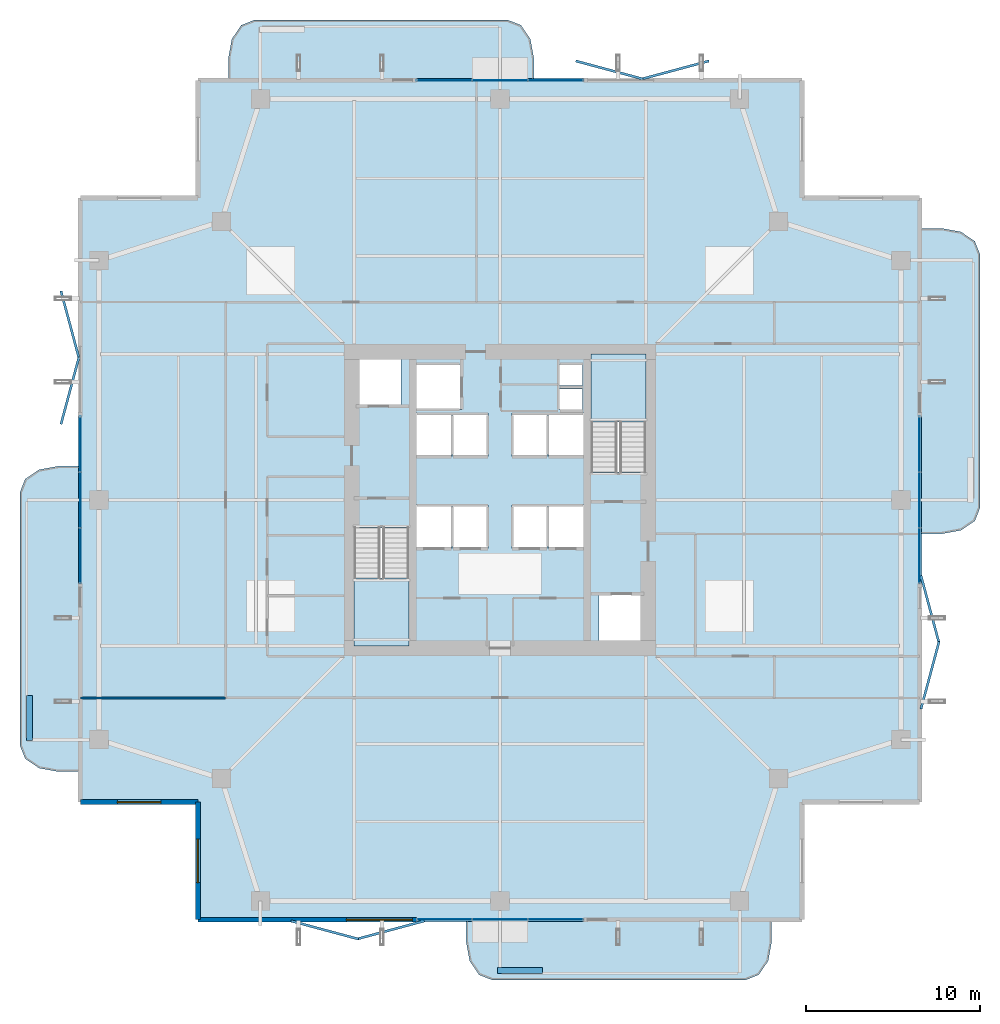
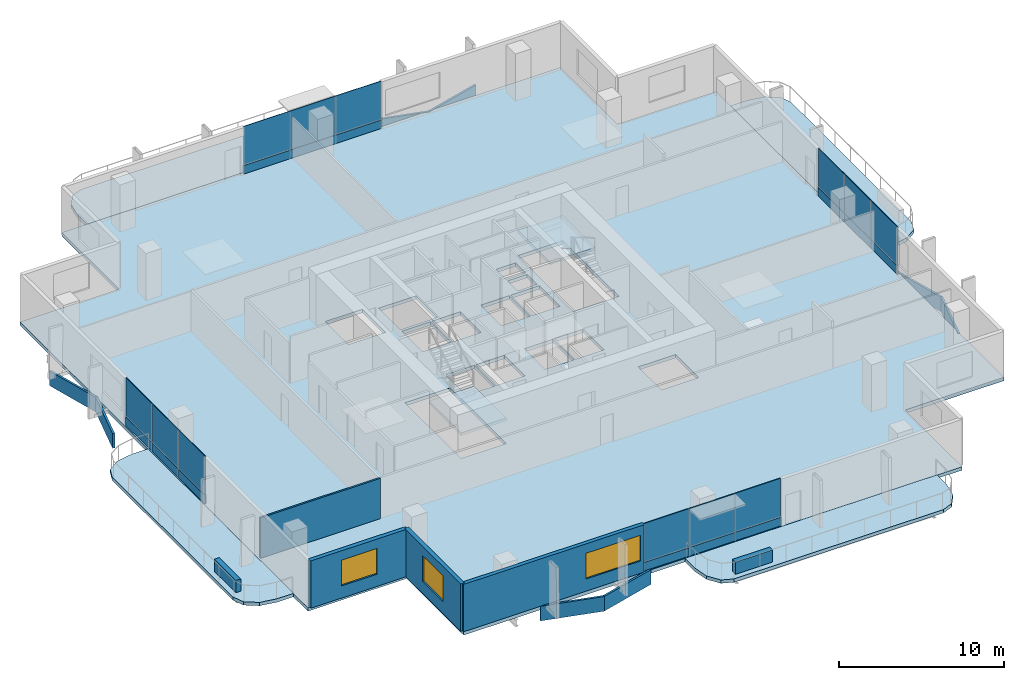
# One storey, part 17 of 25: 32 plates, 7 slabs, 6 walls, 3 windows, 3 openings, 6 elements without a shape of their own.
"""IFC4 building model written with IfcOpenShell, lengths in metres."""

from ifc_helpers import new_model, si_unit, direction, frame, frame_2d, origin, origin_2d, place, context, subcontext, project, spatial, polyline, rectangle, outline, extrude, material, layer, layer_set, type_object, element, fill, aggregate, save


model = new_model("IFC4")

# Units and contexts
model_context = context("Model", 3, precision=1e-05, world=origin(), true_north=direction((0.0, 1.0)))
body_context = subcontext(model_context, "Body", "Model", "MODEL_VIEW")
ifc_project = project(units=[si_unit("LENGTHUNIT", "METRE"), si_unit("AREAUNIT", "SQUARE_METRE"), si_unit("VOLUMEUNIT", "CUBIC_METRE"), si_unit("PLANEANGLEUNIT", "RADIAN"), si_unit("MASSUNIT", "GRAM", prefix="KILO")], contexts=[model_context])

# Site, building, storey
site_placement = place(None, origin())
site = spatial("IfcSite", under=ifc_project, at=site_placement, CompositionType="ELEMENT")
building_placement = place(site_placement, origin())
building = spatial("IfcBuilding", under=site, at=building_placement, Name="Belovzor Exchange Tower", CompositionType="ELEMENT")
storey_placement = place(building_placement, frame((0.0, 0.0, 175.800048828125)))
storey = spatial("IfcBuildingStorey", under=building, at=storey_placement, Name="L43", CompositionType="ELEMENT", Elevation=175.800048828125)

# Slab
ifc_material_1 = material(Name="Concrete C40/50", Category="concrete")
ifc_layer_1 = layer(ifc_material_1, 0.2548828125)
ifc_layer_set_1 = layer_set([ifc_layer_1], Name="Concrete C40/50")
slab_type_1 = type_object("IfcSlabType", Name="Composite Waist Floor Deck Slab 255", PredefinedType="FLOOR", material=ifc_layer_set_1)
slab_1_placement = place(storey_placement, frame((0.0, 0.0, -0.255126953125)))
element("IfcSlab", 1, at=slab_1_placement, inside=storey, type_object=slab_type_1, Name="SL-F255 Structural Slab L43", PredefinedType="FLOOR", context=body_context, shape_type="SweptSolid", body=[
    extrude(outline(polyline([(11.39990234375, 4.5), (46.199951171875, 4.5), (46.199951171875, 11.39990234375), (53.10009765625, 11.39990234375), (53.10009765625, 46.199951171875), (46.199951171875, 46.199951171875), (46.199951171875, 53.10009765625), (11.39990234375, 53.10009765625), (11.39990234375, 46.199951171875), (4.5, 46.199951171875), (4.5, 11.39990234375), (11.39990234375, 11.39990234375), (11.39990234375, 4.5)]), holes=[polyline([(20.39990234375, 27.175048828125), (20.39990234375, 20.39990234375), (23.550048828125, 20.39990234375), (23.550048828125, 27.175048828125), (20.39990234375, 27.175048828125)]), polyline([(37.199951171875, 30.425048828125), (37.199951171875, 37.199951171875), (34.050048828125, 37.199951171875), (34.050048828125, 30.425048828125), (37.199951171875, 30.425048828125)]), polyline([(20.5, 34.199951171875), (23.10009765625, 34.199951171875), (23.10009765625, 37.0), (20.5, 37.0), (20.5, 34.199951171875)]), polyline([(34.5, 20.60009765625), (37.10009765625, 20.60009765625), (37.10009765625, 23.39990234375), (34.5, 23.39990234375), (34.5, 20.60009765625)]), polyline([(24.0, 34.0), (26.60009765625, 34.0), (26.60009765625, 36.60009765625), (24.0, 36.60009765625), (24.0, 34.0)]), polyline([(24.0, 26.0), (26.0, 26.0), (26.0, 28.5), (24.0, 28.5), (24.0, 26.0)]), polyline([(26.10009765625, 26.0), (28.10009765625, 26.0), (28.10009765625, 28.5), (26.10009765625, 28.5), (26.10009765625, 26.0)]), polyline([(29.5, 26.0), (31.5, 26.0), (31.5, 28.5), (29.5, 28.5), (29.5, 26.0)]), polyline([(31.60009765625, 26.0), (33.60009765625, 26.0), (33.60009765625, 28.5), (31.60009765625, 28.5), (31.60009765625, 26.0)]), polyline([(24.0, 31.300048828125), (26.0, 31.300048828125), (26.0, 33.800048828125), (24.0, 33.800048828125), (24.0, 31.300048828125)]), polyline([(26.10009765625, 31.300048828125), (28.10009765625, 31.300048828125), (28.10009765625, 33.800048828125), (26.10009765625, 33.800048828125), (26.10009765625, 31.300048828125)]), polyline([(29.5, 31.300048828125), (31.5, 31.300048828125), (31.5, 33.800048828125), (29.5, 33.800048828125), (29.5, 31.300048828125)]), polyline([(31.60009765625, 31.300048828125), (33.60009765625, 31.300048828125), (33.60009765625, 33.800048828125), (31.60009765625, 33.800048828125), (31.60009765625, 31.300048828125)]), polyline([(32.199951171875, 34.0), (33.550048828125, 34.0), (33.550048828125, 35.199951171875), (32.199951171875, 35.199951171875), (32.199951171875, 34.0)]), polyline([(32.199951171875, 35.39990234375), (33.550048828125, 35.39990234375), (33.550048828125, 36.60009765625), (32.199951171875, 36.60009765625), (32.199951171875, 35.39990234375)])]), origin(), (0.0, 0.0, 1.0), 0.255126953125),
])

# Curtain wall, plates
ifc_material_2 = material(Name="Anodised Aluminium Framing", Category="aluminium")
ifc_layer_2 = layer(ifc_material_2, 0.179931640625)
ifc_layer_set_2 = layer_set([ifc_layer_2], Name="Anodised Aluminium Framing")
curtain_wall_type = type_object("IfcCurtainWallType", Name="Recessed Loggia Low-Iron Triple-Glazed Curtain Wall", PredefinedType="NOTDEFINED", material=ifc_layer_set_2)
curtain_wall_1_placement = place(storey_placement, origin())
curtain_wall_1 = element("IfcCurtainWall", 2, at=curtain_wall_1_placement, inside=storey, type_object=curtain_wall_type, Name="CW3 Recessed Loggia Low-Iron Triple-Glazed Curtain Wall L43", PredefinedType="NOTDEFINED")
ifc_material_3 = material(Name="Solar-Control Triple Glazing", Category="glass")
ifc_layer_3 = layer(ifc_material_3, 0.0439453125)
ifc_layer_set_3 = layer_set([ifc_layer_3], Name="Solar-Control Triple Glazing")
plate_type_1 = type_object("IfcPlateType", Name="Insulated Solar Glazing Curtain Panel 44", PredefinedType="CURTAIN_PANEL", material=ifc_layer_set_3)
plate_1_placement = place(storey_placement, frame((32.0, 4.6298828125, 0.630859375), z_axis=(0.0, 0.0, 1.0), x_axis=(-1.0, 0.0, 0.0)))
plate_1 = element("IfcPlate", 3, at=plate_1_placement, type_object=plate_type_1, Name="GLZ-44 Glazed Curtain Panel 1", PredefinedType="CURTAIN_PANEL", context=body_context, shape_type="SweptSolid", body=[
    extrude(rectangle(XDim=3.18408203125, YDim=0.0439453125, at=origin_2d()), origin(), (0.0, 0.0, 1.0), 2.864013671875),
])
plate_2_placement = place(storey_placement, frame((28.800048828125, 4.6298828125, 0.630859375), z_axis=(0.0, 0.0, 1.0), x_axis=(-1.0, 0.0, 0.0)))
plate_2 = element("IfcPlate", 4, at=plate_2_placement, type_object=plate_type_1, Name="GLZ-44 Glazed Curtain Panel 2", PredefinedType="CURTAIN_PANEL", context=body_context, shape_type="SweptSolid", body=[
    extrude(rectangle(XDim=3.18408203125, YDim=0.0439453125, at=origin_2d()), origin(), (0.0, 0.0, 1.0), 2.864013671875),
])
plate_3_placement = place(storey_placement, frame((25.60009765625, 4.6298828125, 0.630859375), z_axis=(0.0, 0.0, 1.0), x_axis=(-1.0, 0.0, 0.0)))
plate_3 = element("IfcPlate", 5, at=plate_3_placement, type_object=plate_type_1, Name="GLZ-44 Glazed Curtain Panel 3", PredefinedType="CURTAIN_PANEL", context=body_context, shape_type="SweptSolid", body=[
    extrude(rectangle(XDim=3.18408203125, YDim=0.0439453125, at=origin_2d()), origin(), (0.0, 0.0, 1.0), 2.864013671875),
])

curtain_wall_2_placement = place(storey_placement, origin())
curtain_wall_2 = element("IfcCurtainWall", 6, at=curtain_wall_2_placement, inside=storey, type_object=curtain_wall_type, Name="CW3 Recessed Loggia Low-Iron Triple-Glazed Curtain Wall L43", PredefinedType="NOTDEFINED")
plate_4_placement = place(storey_placement, frame((25.60009765625, 52.969970703125, 0.630859375), z_axis=(0.0, 0.0, 1.0), x_axis=(1.0, 0.0, 0.0)))
plate_4 = element("IfcPlate", 7, at=plate_4_placement, type_object=plate_type_1, Name="GLZ-44 Glazed Curtain Panel 1", PredefinedType="CURTAIN_PANEL", context=body_context, shape_type="SweptSolid", body=[
    extrude(rectangle(XDim=3.18408203125, YDim=0.0439453125, at=origin_2d()), origin(), (0.0, 0.0, 1.0), 2.864013671875),
])
plate_5_placement = place(storey_placement, frame((28.800048828125, 52.969970703125, 0.630859375), z_axis=(0.0, 0.0, 1.0), x_axis=(1.0, 0.0, 0.0)))
plate_5 = element("IfcPlate", 8, at=plate_5_placement, type_object=plate_type_1, Name="GLZ-44 Glazed Curtain Panel 2", PredefinedType="CURTAIN_PANEL", context=body_context, shape_type="SweptSolid", body=[
    extrude(rectangle(XDim=3.18408203125, YDim=0.0439453125, at=origin_2d()), origin(), (0.0, 0.0, 1.0), 2.864013671875),
])
plate_6_placement = place(storey_placement, frame((32.0, 52.969970703125, 0.630859375), z_axis=(0.0, 0.0, 1.0), x_axis=(1.0, 0.0, 0.0)))
plate_6 = element("IfcPlate", 9, at=plate_6_placement, type_object=plate_type_1, Name="GLZ-44 Glazed Curtain Panel 3", PredefinedType="CURTAIN_PANEL", context=body_context, shape_type="SweptSolid", body=[
    extrude(rectangle(XDim=3.18408203125, YDim=0.0439453125, at=origin_2d()), origin(), (0.0, 0.0, 1.0), 2.864013671875),
])

curtain_wall_3_placement = place(storey_placement, origin())
curtain_wall_3 = element("IfcCurtainWall", 10, at=curtain_wall_3_placement, inside=storey, type_object=curtain_wall_type, Name="CW3 Recessed Loggia Low-Iron Triple-Glazed Curtain Wall L43", PredefinedType="NOTDEFINED")
plate_7_placement = place(storey_placement, frame((4.6298828125, 25.60009765625, 0.630859375), z_axis=(0.0, 0.0, 1.0), x_axis=(0.0, 1.0, 0.0)))
plate_7 = element("IfcPlate", 11, at=plate_7_placement, type_object=plate_type_1, Name="GLZ-44 Glazed Curtain Panel 1", PredefinedType="CURTAIN_PANEL", context=body_context, shape_type="SweptSolid", body=[
    extrude(rectangle(XDim=3.18408203125, YDim=0.0439453125, at=origin_2d()), origin(), (0.0, 0.0, 1.0), 2.864013671875),
])
plate_8_placement = place(storey_placement, frame((4.6298828125, 28.800048828125, 0.630859375), z_axis=(0.0, 0.0, 1.0), x_axis=(0.0, 1.0, 0.0)))
plate_8 = element("IfcPlate", 12, at=plate_8_placement, type_object=plate_type_1, Name="GLZ-44 Glazed Curtain Panel 2", PredefinedType="CURTAIN_PANEL", context=body_context, shape_type="SweptSolid", body=[
    extrude(rectangle(XDim=3.18408203125, YDim=0.0439453125, at=origin_2d()), origin(), (0.0, 0.0, 1.0), 2.864013671875),
])
plate_9_placement = place(storey_placement, frame((4.6298828125, 32.0, 0.630859375), z_axis=(0.0, 0.0, 1.0), x_axis=(0.0, 1.0, 0.0)))
plate_9 = element("IfcPlate", 13, at=plate_9_placement, type_object=plate_type_1, Name="GLZ-44 Glazed Curtain Panel 3", PredefinedType="CURTAIN_PANEL", context=body_context, shape_type="SweptSolid", body=[
    extrude(rectangle(XDim=3.18408203125, YDim=0.0439453125, at=origin_2d()), origin(), (0.0, 0.0, 1.0), 2.864013671875),
])

curtain_wall_4_placement = place(storey_placement, origin())
curtain_wall_4 = element("IfcCurtainWall", 14, at=curtain_wall_4_placement, inside=storey, type_object=curtain_wall_type, Name="CW3 Recessed Loggia Low-Iron Triple-Glazed Curtain Wall L43", PredefinedType="NOTDEFINED")
plate_10_placement = place(storey_placement, frame((52.969970703125, 32.0, 0.630859375), z_axis=(0.0, 0.0, 1.0), x_axis=(0.0, -1.0, 0.0)))
plate_10 = element("IfcPlate", 15, at=plate_10_placement, type_object=plate_type_1, Name="GLZ-44 Glazed Curtain Panel 1", PredefinedType="CURTAIN_PANEL", context=body_context, shape_type="SweptSolid", body=[
    extrude(rectangle(XDim=3.18408203125, YDim=0.0439453125, at=origin_2d()), origin(), (0.0, 0.0, 1.0), 2.864013671875),
])
plate_11_placement = place(storey_placement, frame((52.969970703125, 28.800048828125, 0.630859375), z_axis=(0.0, 0.0, 1.0), x_axis=(0.0, -1.0, 0.0)))
plate_11 = element("IfcPlate", 16, at=plate_11_placement, type_object=plate_type_1, Name="GLZ-44 Glazed Curtain Panel 2", PredefinedType="CURTAIN_PANEL", context=body_context, shape_type="SweptSolid", body=[
    extrude(rectangle(XDim=3.18408203125, YDim=0.0439453125, at=origin_2d()), origin(), (0.0, 0.0, 1.0), 2.864013671875),
])
plate_12_placement = place(storey_placement, frame((52.969970703125, 25.60009765625, 0.630859375), z_axis=(0.0, 0.0, 1.0), x_axis=(0.0, -1.0, 0.0)))
plate_12 = element("IfcPlate", 17, at=plate_12_placement, type_object=plate_type_1, Name="GLZ-44 Glazed Curtain Panel 3", PredefinedType="CURTAIN_PANEL", context=body_context, shape_type="SweptSolid", body=[
    extrude(rectangle(XDim=3.18408203125, YDim=0.0439453125, at=origin_2d()), origin(), (0.0, 0.0, 1.0), 2.864013671875),
])

# Plates
ifc_material_4 = material(Name="Extruded Architectural Terracotta", Category="masonry")
ifc_layer_4 = layer(ifc_material_4, 0.139892578125)
ifc_layer_set_4 = layer_set([ifc_layer_4], Name="Extruded Architectural Terracotta")
plate_type_2 = type_object("IfcPlateType", Name="Mid-Tower Folded Zigzag Terracotta Spandrel Louvre 120", PredefinedType="USERDEFINED", material=ifc_layer_set_4)
for number, where, z_axis, x_axis, name in (
    (18, (18.699951171875, 4.030029296875, -1.065185546875), (0.0, 0.0, 1.0), (0.965812803231, -0.259240485101, 0.0), "LVR-ZZ2 Zigzag Terracotta Spandrel Louvre L43 S1A"),
    (19, (22.5, 4.030029296875, -1.065185546875), (0.0, 0.0, 1.0), (0.965812803231, 0.259240485101, 0.0), "LVR-ZZ2 Zigzag Terracotta Spandrel Louvre L43 S1B"),
    (20, (53.570068359375, 18.699951171875, -1.065185546875), (0.0, 0.0, 1.0), (0.259240485101, 0.965812803231, 0.0), "LVR-ZZ2 Zigzag Terracotta Spandrel Louvre L43 E1A"),
    (21, (53.570068359375, 22.5, -1.065185546875), (0.0, 0.0, 1.0), (-0.259240485101, 0.965812803231, 0.0), "LVR-ZZ2 Zigzag Terracotta Spandrel Louvre L43 E1B"),
    (22, (35.10009765625, 53.570068359375, -1.065185546875), (0.0, 0.0, 1.0), (0.965812803231, -0.259240485101, 0.0), "LVR-ZZ2 Zigzag Terracotta Spandrel Louvre L43 N2A"),
    (23, (38.89990234375, 53.570068359375, -1.065185546875), (0.0, 0.0, 1.0), (0.965812803231, 0.259240485101, 0.0), "LVR-ZZ2 Zigzag Terracotta Spandrel Louvre L43 N2B"),
    (24, (4.030029296875, 35.10009765625, -1.065185546875), (0.0, 0.0, 1.0), (0.259240485101, 0.965812803231, 0.0), "LVR-ZZ2 Zigzag Terracotta Spandrel Louvre L43 W2A"),
    (25, (4.030029296875, 38.89990234375, -1.065185546875), (0.0, 0.0, 1.0), (-0.259240485101, 0.965812803231, 0.0), "LVR-ZZ2 Zigzag Terracotta Spandrel Louvre L43 W2B"),
):
    element("IfcPlate", number, at=place(storey_placement, frame(where, z_axis=z_axis, x_axis=x_axis)), inside=storey, type_object=plate_type_2, Name=name, ObjectType="SPANDREL_LOUVRE", PredefinedType="USERDEFINED", context=body_context, shape_type="SweptSolid", body=[
        extrude(rectangle(XDim=4.014892578125, YDim=0.139892578125, at=origin_2d()), origin(), (0.0, 0.0, 1.0), 1.080078125),
    ])

# Stair, slab
ifc_material_5 = material(Name="Concrete C40/50", Category="concrete")
stair_type = type_object("IfcStairType", Name="Reinforced Concrete Dogleg Escape Stair 1350", PredefinedType="HALF_TURN_STAIR", material=ifc_material_5)
stair_1_placement = place(storey_placement, origin())
stair_1 = element("IfcStair", 26, at=stair_1_placement, inside=storey, type_object=stair_type, Name="L43 ST-1", PredefinedType="HALF_TURN_STAIR")
ifc_material_6 = material(Name="Concrete C40/50", Category="concrete")
ifc_layer_5 = layer(ifc_material_6, 0.199951171875)
ifc_layer_set_5 = layer_set([ifc_layer_5], Name="Concrete C40/50")
slab_type_2 = type_object("IfcSlabType", Name="Reinforced Concrete Stair Half-Landing Slab 200", PredefinedType="LANDING", material=ifc_layer_set_5)
slab_2_placement = place(storey_placement, frame((0.0, 0.0, 1.675048828125)))
slab_2 = element("IfcSlab", 27, at=slab_2_placement, type_object=slab_type_2, Name="ST-1 landing 1", PredefinedType="LANDING", context=body_context, shape_type="SweptSolid", body=[
    extrude(outline(polyline([(20.39990234375, 24.300048828125), (20.39990234375, 20.39990234375), (23.550048828125, 20.39990234375), (23.550048828125, 24.300048828125), (20.39990234375, 24.300048828125)])), origin(), (0.0, 0.0, 1.0), 0.199951171875),
])
aggregate(stair_1, [slab_2])

stair_2_placement = place(storey_placement, origin())
stair_2 = element("IfcStair", 28, at=stair_2_placement, inside=storey, type_object=stair_type, Name="L43 ST-2", PredefinedType="HALF_TURN_STAIR")
slab_3_placement = place(storey_placement, frame((0.0, 0.0, 1.675048828125)))
slab_3 = element("IfcSlab", 29, at=slab_3_placement, type_object=slab_type_2, Name="ST-2 landing 1", PredefinedType="LANDING", context=body_context, shape_type="SweptSolid", body=[
    extrude(outline(polyline([(37.199951171875, 33.300048828125), (37.199951171875, 37.199951171875), (34.050048828125, 37.199951171875), (34.050048828125, 33.300048828125), (37.199951171875, 33.300048828125)])), origin(), (0.0, 0.0, 1.0), 0.199951171875),
])
aggregate(stair_2, [slab_3])

# Plate
ifc_material_7 = material(Name="Extruded Architectural Terracotta", Category="masonry")
ifc_layer_6 = layer(ifc_material_7, 0.090087890625)
ifc_layer_set_6 = layer_set([ifc_layer_6], Name="Extruded Architectural Terracotta")
plate_type_3 = type_object("IfcPlateType", Name="Terracotta Shadow-Box Spandrel Panel 90", PredefinedType="CURTAIN_PANEL", material=ifc_layer_set_6)
plate_13_placement = place(storey_placement, frame((32.0, 4.6298828125, 0.00048828125), z_axis=(0.0, 0.0, 1.0), x_axis=(-1.0, 0.0, 0.0)))
plate_13 = element("IfcPlate", 30, at=plate_13_placement, type_object=plate_type_3, Name="SPD-90 Spandrel Panel 1", PredefinedType="CURTAIN_PANEL", context=body_context, shape_type="SweptSolid", body=[
    extrude(rectangle(XDim=3.18408203125, YDim=0.090087890625, at=origin_2d()), origin(), (0.0, 0.0, 1.0), 0.626953125),
])

plate_14_placement = place(storey_placement, frame((28.800048828125, 4.6298828125, 0.00048828125), z_axis=(0.0, 0.0, 1.0), x_axis=(-1.0, 0.0, 0.0)))
plate_14 = element("IfcPlate", 31, at=plate_14_placement, type_object=plate_type_3, Name="SPD-90 Spandrel Panel 2", PredefinedType="CURTAIN_PANEL", context=body_context, shape_type="SweptSolid", body=[
    extrude(rectangle(XDim=3.18408203125, YDim=0.090087890625, at=origin_2d()), origin(), (0.0, 0.0, 1.0), 0.626953125),
])

plate_15_placement = place(storey_placement, frame((25.60009765625, 4.6298828125, 0.00048828125), z_axis=(0.0, 0.0, 1.0), x_axis=(-1.0, 0.0, 0.0)))
plate_15 = element("IfcPlate", 32, at=plate_15_placement, type_object=plate_type_3, Name="SPD-90 Spandrel Panel 3", PredefinedType="CURTAIN_PANEL", context=body_context, shape_type="SweptSolid", body=[
    extrude(rectangle(XDim=3.18408203125, YDim=0.090087890625, at=origin_2d()), origin(), (0.0, 0.0, 1.0), 0.626953125),
])

aggregate(curtain_wall_1, [plate_13, plate_1, plate_14, plate_2, plate_15, plate_3])

plate_16_placement = place(storey_placement, frame((25.60009765625, 52.969970703125, 0.00048828125), z_axis=(0.0, 0.0, 1.0), x_axis=(1.0, 0.0, 0.0)))
plate_16 = element("IfcPlate", 33, at=plate_16_placement, type_object=plate_type_3, Name="SPD-90 Spandrel Panel 1", PredefinedType="CURTAIN_PANEL", context=body_context, shape_type="SweptSolid", body=[
    extrude(rectangle(XDim=3.18408203125, YDim=0.090087890625, at=origin_2d()), origin(), (0.0, 0.0, 1.0), 0.626953125),
])

plate_17_placement = place(storey_placement, frame((28.800048828125, 52.969970703125, 0.00048828125), z_axis=(0.0, 0.0, 1.0), x_axis=(1.0, 0.0, 0.0)))
plate_17 = element("IfcPlate", 34, at=plate_17_placement, type_object=plate_type_3, Name="SPD-90 Spandrel Panel 2", PredefinedType="CURTAIN_PANEL", context=body_context, shape_type="SweptSolid", body=[
    extrude(rectangle(XDim=3.18408203125, YDim=0.090087890625, at=origin_2d()), origin(), (0.0, 0.0, 1.0), 0.626953125),
])

plate_18_placement = place(storey_placement, frame((32.0, 52.969970703125, 0.00048828125), z_axis=(0.0, 0.0, 1.0), x_axis=(1.0, 0.0, 0.0)))
plate_18 = element("IfcPlate", 35, at=plate_18_placement, type_object=plate_type_3, Name="SPD-90 Spandrel Panel 3", PredefinedType="CURTAIN_PANEL", context=body_context, shape_type="SweptSolid", body=[
    extrude(rectangle(XDim=3.18408203125, YDim=0.090087890625, at=origin_2d()), origin(), (0.0, 0.0, 1.0), 0.626953125),
])

aggregate(curtain_wall_2, [plate_16, plate_4, plate_17, plate_5, plate_18, plate_6])

plate_19_placement = place(storey_placement, frame((4.6298828125, 25.60009765625, 0.00048828125), z_axis=(0.0, 0.0, 1.0), x_axis=(0.0, 1.0, 0.0)))
plate_19 = element("IfcPlate", 36, at=plate_19_placement, type_object=plate_type_3, Name="SPD-90 Spandrel Panel 1", PredefinedType="CURTAIN_PANEL", context=body_context, shape_type="SweptSolid", body=[
    extrude(rectangle(XDim=3.18408203125, YDim=0.090087890625, at=origin_2d()), origin(), (0.0, 0.0, 1.0), 0.626953125),
])

plate_20_placement = place(storey_placement, frame((4.6298828125, 28.800048828125, 0.00048828125), z_axis=(0.0, 0.0, 1.0), x_axis=(0.0, 1.0, 0.0)))
plate_20 = element("IfcPlate", 37, at=plate_20_placement, type_object=plate_type_3, Name="SPD-90 Spandrel Panel 2", PredefinedType="CURTAIN_PANEL", context=body_context, shape_type="SweptSolid", body=[
    extrude(rectangle(XDim=3.18408203125, YDim=0.090087890625, at=origin_2d()), origin(), (0.0, 0.0, 1.0), 0.626953125),
])

plate_21_placement = place(storey_placement, frame((4.6298828125, 32.0, 0.00048828125), z_axis=(0.0, 0.0, 1.0), x_axis=(0.0, 1.0, 0.0)))
plate_21 = element("IfcPlate", 38, at=plate_21_placement, type_object=plate_type_3, Name="SPD-90 Spandrel Panel 3", PredefinedType="CURTAIN_PANEL", context=body_context, shape_type="SweptSolid", body=[
    extrude(rectangle(XDim=3.18408203125, YDim=0.090087890625, at=origin_2d()), origin(), (0.0, 0.0, 1.0), 0.626953125),
])

aggregate(curtain_wall_3, [plate_19, plate_7, plate_20, plate_8, plate_21, plate_9])

plate_22_placement = place(storey_placement, frame((52.969970703125, 32.0, 0.00048828125), z_axis=(0.0, 0.0, 1.0), x_axis=(0.0, -1.0, 0.0)))
plate_22 = element("IfcPlate", 39, at=plate_22_placement, type_object=plate_type_3, Name="SPD-90 Spandrel Panel 1", PredefinedType="CURTAIN_PANEL", context=body_context, shape_type="SweptSolid", body=[
    extrude(rectangle(XDim=3.18408203125, YDim=0.090087890625, at=origin_2d()), origin(), (0.0, 0.0, 1.0), 0.626953125),
])

plate_23_placement = place(storey_placement, frame((52.969970703125, 28.800048828125, 0.00048828125), z_axis=(0.0, 0.0, 1.0), x_axis=(0.0, -1.0, 0.0)))
plate_23 = element("IfcPlate", 40, at=plate_23_placement, type_object=plate_type_3, Name="SPD-90 Spandrel Panel 2", PredefinedType="CURTAIN_PANEL", context=body_context, shape_type="SweptSolid", body=[
    extrude(rectangle(XDim=3.18408203125, YDim=0.090087890625, at=origin_2d()), origin(), (0.0, 0.0, 1.0), 0.626953125),
])

plate_24_placement = place(storey_placement, frame((52.969970703125, 25.60009765625, 0.00048828125), z_axis=(0.0, 0.0, 1.0), x_axis=(0.0, -1.0, 0.0)))
plate_24 = element("IfcPlate", 41, at=plate_24_placement, type_object=plate_type_3, Name="SPD-90 Spandrel Panel 3", PredefinedType="CURTAIN_PANEL", context=body_context, shape_type="SweptSolid", body=[
    extrude(rectangle(XDim=3.18408203125, YDim=0.090087890625, at=origin_2d()), origin(), (0.0, 0.0, 1.0), 0.626953125),
])

aggregate(curtain_wall_4, [plate_22, plate_10, plate_23, plate_11, plate_24, plate_12])

# Slabs
ifc_material_8 = material(Name="Concrete C40/50", Category="concrete")
ifc_layer_7 = layer(ifc_material_8, 0.25)
ifc_layer_set_7 = layer_set([ifc_layer_7], Name="Concrete C40/50")
slab_type_3 = type_object("IfcSlabType", Name="Thermally Broken Planted Balcony Slab 250", PredefinedType="FLOOR", material=ifc_layer_set_7)
slab_4_placement = place(storey_placement, frame((0.0, 0.0, -0.25)))
element("IfcSlab", 42, at=slab_4_placement, inside=storey, type_object=slab_type_3, Name="SL-BAL220 Planted Balcony Loggia L43 South", PredefinedType="FLOOR", context=body_context, shape_type="SweptSolid", body=[
    extrude(outline(polyline([(26.85009765625, 4.514892578125), (26.85009765625, 3.35009765625), (27.051025390625, 2.25), (27.60009765625, 1.445068359375), (28.35009765625, 1.14990234375), (42.949951171875, 1.14990234375), (43.699951171875, 1.445068359375), (44.2490234375, 2.25), (44.449951171875, 3.35009765625), (44.449951171875, 4.514892578125), (26.85009765625, 4.514892578125)])), origin(), (0.0, 0.0, 1.0), 0.25),
])
slab_5_placement = place(storey_placement, frame((0.0, 0.0, -0.25)))
element("IfcSlab", 43, at=slab_5_placement, inside=storey, type_object=slab_type_3, Name="SL-BAL220 Planted Balcony Loggia L43 North", PredefinedType="FLOOR", context=body_context, shape_type="SweptSolid", body=[
    extrude(outline(polyline([(30.75, 53.0849609375), (30.75, 54.25), (30.549072265625, 55.35009765625), (30.0, 56.155029296875), (29.25, 56.449951171875), (14.64990234375, 56.449951171875), (13.89990234375, 56.155029296875), (13.35107421875, 55.35009765625), (13.14990234375, 54.25), (13.14990234375, 53.0849609375), (30.75, 53.0849609375)])), origin(), (0.0, 0.0, 1.0), 0.25),
])
slab_6_placement = place(storey_placement, frame((0.0, 0.0, -0.25)))
element("IfcSlab", 44, at=slab_6_placement, inside=storey, type_object=slab_type_3, Name="SL-BAL220 Planted Balcony Loggia L43 East", PredefinedType="FLOOR", context=body_context, shape_type="SweptSolid", body=[
    extrude(outline(polyline([(53.0849609375, 26.85009765625), (54.25, 26.85009765625), (55.35009765625, 27.051025390625), (56.155029296875, 27.60009765625), (56.449951171875, 28.35009765625), (56.449951171875, 42.949951171875), (56.155029296875, 43.699951171875), (55.35009765625, 44.2490234375), (54.25, 44.449951171875), (53.0849609375, 44.449951171875), (53.0849609375, 26.85009765625)])), origin(), (0.0, 0.0, 1.0), 0.25),
])
slab_7_placement = place(storey_placement, frame((0.0, 0.0, -0.25)))
element("IfcSlab", 45, at=slab_7_placement, inside=storey, type_object=slab_type_3, Name="SL-BAL220 Planted Balcony Loggia L43 West", PredefinedType="FLOOR", context=body_context, shape_type="SweptSolid", body=[
    extrude(outline(polyline([(4.514892578125, 30.75), (3.35009765625, 30.75), (2.25, 30.549072265625), (1.445068359375, 30.0), (1.14990234375, 29.25), (1.14990234375, 14.64990234375), (1.445068359375, 13.89990234375), (2.25, 13.35107421875), (3.35009765625, 13.14990234375), (4.514892578125, 13.14990234375), (4.514892578125, 30.75)])), origin(), (0.0, 0.0, 1.0), 0.25),
])

# Wall
ifc_material_9 = material(Name="Acoustic Plasterboard on Galvanised Studs", Category="gypsum")
ifc_layer_8 = layer(ifc_material_9, 0.1201171875)
ifc_layer_set_8 = layer_set([ifc_layer_8], Name="Acoustic Plasterboard on Galvanised Studs")
wall_type_1 = type_object("IfcWallType", Name="Acoustic Double-Stud Partition Wall 120", PredefinedType="PARTITIONING", material=ifc_layer_set_8)
wall_1_placement = place(storey_placement, frame((4.6298828125, 17.39990234375, 0.0), z_axis=(0.0, 0.0, 1.0), x_axis=(1.0, 0.0, 0.0)))
element("IfcWall", 46, at=wall_1_placement, inside=storey, type_object=wall_type_1, Name="W-P120 Partition Wall W-L43-END-SW", PredefinedType="PARTITIONING", context=body_context, shape_type="SweptSolid", body=[
    extrude(rectangle(XDim=8.3701171875, YDim=0.1201171875, at=frame_2d((4.18505859375, 0.0))), origin(), (0.0, 0.0, 1.0), 2.97998046875),
])

# Wall, opening, window
ifc_material_10 = material(Name="Precast concrete C40/50", Category="concrete")
ifc_layer_9 = layer(ifc_material_10, 0.280029296875)
ifc_layer_set_9 = layer_set([ifc_layer_9], Name="Precast concrete C40/50")
wall_type_2 = type_object("IfcWallType", Name="Precast Concrete Notched Corner Frame Wall 280", PredefinedType="SOLIDWALL", material=ifc_layer_set_9)
wall_2_placement = place(storey_placement, frame((11.39990234375, 4.6298828125, 0.0), z_axis=(0.0, 0.0, 1.0), x_axis=(0.0, 1.0, 0.0)))
wall_2 = element("IfcWall", 47, at=wall_2_placement, inside=storey, type_object=wall_type_2, Name="W-CRN280 Precast Concrete Notched Corner Frame Wall 280 L43", PredefinedType="SOLIDWALL", context=body_context, shape_type="SweptSolid", body=[
    extrude(rectangle(XDim=6.77001953125, YDim=0.280029296875, at=frame_2d((3.385009765625, 0.0))), origin(), (0.0, 0.0, 1.0), 3.494873046875),
])
opening_1_placement = place(wall_2_placement, frame((2.135009765625, 0.0, 0.89990234375)))
opening_1 = element("IfcOpeningElement", 48, at=opening_1_placement, cuts=wall_2, Name="Opening WN-CRN250", PredefinedType="OPENING", context=body_context, shape_type="SweptSolid", body=[
    extrude(rectangle(XDim=2.5, YDim=1.89990234375, at=frame_2d((1.25, 0.949951171875))), frame((0.0, 0.14990234375, 0.0), z_axis=(0.0, -1.0, 0.0), x_axis=(1.0, 0.0, 0.0)), (0.0, 0.0, 1.0), 0.300048828125),
])
ifc_material_11 = material(Name="Thermally Broken Aluminium and Triple Glazing", Category="aluminium")
window_type_1 = type_object("IfcWindowType", Name="Streamline Moderne Corner Wrap Ribbon Window 2500x1900", PartitioningType="SINGLE_PANEL", PredefinedType="WINDOW", material=ifc_material_11)
window_1_placement = place(opening_1_placement, origin())
window_1 = element("IfcWindow", 49, at=window_1_placement, inside=storey, type_object=window_type_1, Name="WN-CRN250 Streamline Moderne Corner Wrap Ribbon Window 2500x1900", OverallHeight=1.89990234375, OverallWidth=2.5, PartitioningType="SINGLE_PANEL", PredefinedType="WINDOW", context=body_context, shape_type="SweptSolid", body=[
    extrude(rectangle(XDim=2.5, YDim=1.89990234375, at=frame_2d((1.25, 0.949951171875))), frame((0.0, 0.030029296875, 0.0), z_axis=(0.0, -1.0, 0.0), x_axis=(1.0, 0.0, 0.0)), (0.0, 0.0, 1.0), 0.06005859375),
])
fill(opening_1, window_1)

wall_3_placement = place(storey_placement, frame((11.39990234375, 11.39990234375, 0.0), z_axis=(0.0, 0.0, 1.0), x_axis=(-1.0, 0.0, 0.0)))
wall_3 = element("IfcWall", 50, at=wall_3_placement, inside=storey, type_object=wall_type_2, Name="W-CRN280 Precast Concrete Notched Corner Frame Wall 280 L43", PredefinedType="SOLIDWALL", context=body_context, shape_type="SweptSolid", body=[
    extrude(rectangle(XDim=6.77001953125, YDim=0.280029296875, at=frame_2d((3.385009765625, 0.0))), origin(), (0.0, 0.0, 1.0), 3.494873046875),
])
opening_2_placement = place(wall_3_placement, frame((2.135009765625, 0.0, 0.89990234375)))
opening_2 = element("IfcOpeningElement", 51, at=opening_2_placement, cuts=wall_3, Name="Opening WN-CRN250", PredefinedType="OPENING", context=body_context, shape_type="SweptSolid", body=[
    extrude(rectangle(XDim=2.5, YDim=1.89990234375, at=frame_2d((1.25, 0.949951171875))), frame((0.0, 0.14990234375, 0.0), z_axis=(0.0, -1.0, 0.0), x_axis=(1.0, 0.0, 0.0)), (0.0, 0.0, 1.0), 0.300048828125),
])
window_2_placement = place(opening_2_placement, origin())
window_2 = element("IfcWindow", 52, at=window_2_placement, inside=storey, type_object=window_type_1, Name="WN-CRN250 Streamline Moderne Corner Wrap Ribbon Window 2500x1900", OverallHeight=1.89990234375, OverallWidth=2.5, PartitioningType="SINGLE_PANEL", PredefinedType="WINDOW", context=body_context, shape_type="SweptSolid", body=[
    extrude(rectangle(XDim=2.5, YDim=1.89990234375, at=frame_2d((1.25, 0.949951171875))), frame((0.0, 0.030029296875, 0.0), z_axis=(0.0, -1.0, 0.0), x_axis=(1.0, 0.0, 0.0)), (0.0, 0.0, 1.0), 0.06005859375),
])
fill(opening_2, window_2)

ifc_material_12 = material(Name="Precast concrete C40/50", Category="concrete")
ifc_layer_10 = layer(ifc_material_12, 0.260009765625)
ifc_layer_set_10 = layer_set([ifc_layer_10], Name="Precast concrete C40/50")
wall_type_3 = type_object("IfcWallType", Name="Precast Concrete Perimeter Loggia Frame Wall 260", PredefinedType="SOLIDWALL", material=ifc_layer_set_10)
wall_4_placement = place(storey_placement, frame((24.0, 4.6298828125, 0.0), z_axis=(0.0, 0.0, 1.0), x_axis=(-1.0, 0.0, 0.0)))
wall_4 = element("IfcWall", 53, at=wall_4_placement, inside=storey, type_object=wall_type_3, Name="W-EXT260 Precast Concrete Perimeter Loggia Frame Wall 260 L43", PredefinedType="SOLIDWALL", context=body_context, shape_type="SweptSolid", body=[
    extrude(rectangle(XDim=12.60009765625, YDim=0.260009765625, at=frame_2d((6.300048828125, 0.0))), origin(), (0.0, 0.0, 1.0), 3.494873046875),
])
opening_3_placement = place(wall_4_placement, frame((0.25, 0.0, 0.89990234375)))
opening_3 = element("IfcOpeningElement", 54, at=opening_3_placement, cuts=wall_4, Name="Opening WN-RIB380", PredefinedType="OPENING", context=body_context, shape_type="SweptSolid", body=[
    extrude(rectangle(XDim=3.800048828125, YDim=1.89990234375, at=frame_2d((1.89990234375, 0.949951171875))), frame((0.0, 0.139892578125, 0.0), z_axis=(0.0, -1.0, 0.0), x_axis=(1.0, 0.0, 0.0)), (0.0, 0.0, 1.0), 0.280029296875),
])
ifc_material_13 = material(Name="Thermally Broken Aluminium and Triple Glazing", Category="aluminium")
window_type_2 = type_object("IfcWindowType", Name="Streamline Moderne Horizontal Ribbon Window 3800x1900", PartitioningType="SINGLE_PANEL", PredefinedType="WINDOW", material=ifc_material_13)
window_3_placement = place(opening_3_placement, origin())
window_3 = element("IfcWindow", 55, at=window_3_placement, inside=storey, type_object=window_type_2, Name="WN-RIB380 Streamline Moderne Horizontal Ribbon Window 3800x1900", OverallHeight=1.89990234375, OverallWidth=3.800048828125, PartitioningType="SINGLE_PANEL", PredefinedType="WINDOW", context=body_context, shape_type="SweptSolid", body=[
    extrude(rectangle(XDim=3.800048828125, YDim=1.89990234375, at=frame_2d((1.89990234375, 0.949951171875))), frame((0.0, 0.030029296875, 0.0), z_axis=(0.0, -1.0, 0.0), x_axis=(1.0, 0.0, 0.0)), (0.0, 0.0, 1.0), 0.06005859375),
])
fill(opening_3, window_3)

# Walls
ifc_material_14 = material(Name="Precast concrete C40/50", Category="concrete")
ifc_layer_11 = layer(ifc_material_14, 0.35009765625)
ifc_layer_set_11 = layer_set([ifc_layer_11], Name="Precast concrete C40/50")
wall_type_4 = type_object("IfcWallType", Name="Precast Concrete Structural Tree Planter Trough 350", PredefinedType="PARAPET", material=ifc_layer_set_11)
for number, where, z_axis, x_axis, name in (
    (56, (28.64990234375, 1.699951171875, 0.0), (0.0, 0.0, 1.0), (1.0, 0.0, 0.0), "PT-350 Precast Concrete Structural Tree Planter Trough 350 L43"),
    (57, (1.699951171875, 14.949951171875, 0.0), (0.0, 0.0, 1.0), (0.0, 1.0, 0.0), "PT-350 Precast Concrete Structural Tree Planter Trough 350 L43"),
):
    element("IfcWall", number, at=place(storey_placement, frame(where, z_axis=z_axis, x_axis=x_axis)), inside=storey, type_object=wall_type_4, Name=name, PredefinedType="PARAPET", context=body_context, shape_type="SweptSolid", body=[
        extrude(rectangle(XDim=2.60009765625, YDim=0.35009765625, at=frame_2d((1.300048828125, 0.0))), origin(), (0.0, 0.0, 1.0), 0.89990234375),
    ])

save(model, "model.ifc")
